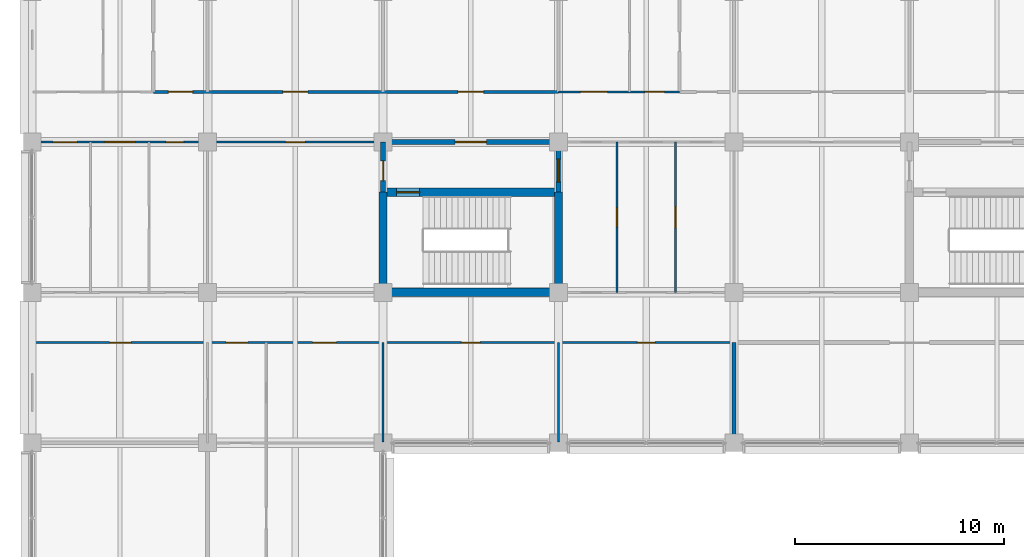
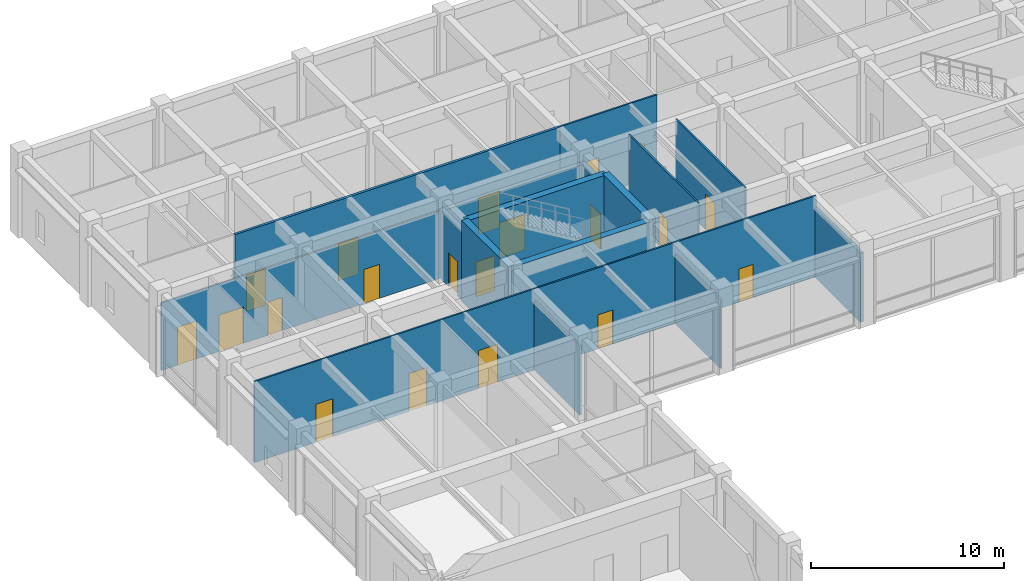
# One storey, part 25 of 51: 20 doors, 16 walls, 20 openings.
"""IFC4 building model written with IfcOpenShell, lengths in metres."""

from ifc_helpers import new_model, si_unit, direction, frame, frame_2d, origin, place, context, subcontext, project, spatial, rectangle, extrude, material, layer, layer_set, type_object, element, fill, save


model = new_model("IFC4")

# Units and contexts
model_context = context("Model", 3, precision=1e-05, world=origin(), true_north=direction((0.0, 1.0)))
body_context = subcontext(model_context, "Body", "Model", "MODEL_VIEW")
ifc_project = project(units=[si_unit("LENGTHUNIT", "METRE"), si_unit("AREAUNIT", "SQUARE_METRE"), si_unit("VOLUMEUNIT", "CUBIC_METRE"), si_unit("PLANEANGLEUNIT", "RADIAN"), si_unit("MASSUNIT", "GRAM", prefix="KILO")], contexts=[model_context])

# Site, building, storey
site_placement = place(None, origin())
site = spatial("IfcSite", under=ifc_project, at=site_placement, CompositionType="ELEMENT")
building_placement = place(site_placement, origin())
building = spatial("IfcBuilding", under=site, at=building_placement, Name="Chengyuan Square Courthouse", CompositionType="ELEMENT")
storey_placement = place(building_placement, frame((0.0, 0.0, 10.800048828125)))
storey = spatial("IfcBuildingStorey", under=building, at=storey_placement, Name="L03", CompositionType="ELEMENT", Elevation=10.800048828125)

# Wall, opening, door
ifc_material_1 = material(Name="Concrete C40", Category="concrete")
ifc_layer_1 = layer(ifc_material_1, 0.25)
ifc_layer_set_1 = layer_set([ifc_layer_1], Name="Concrete C40")
wall_type_1 = type_object("IfcWallType", Name="WL-FW1", PredefinedType="STANDARD", material=ifc_layer_set_1)
wall_1_placement = place(storey_placement, frame((16.800048828125, 93.60009765625, 0.0), z_axis=(0.0, 0.0, 1.0), x_axis=(1.0, 0.0, 0.0)))
wall_1 = element("IfcWall", 1, at=wall_1_placement, inside=storey, type_object=wall_type_1, Name="Interior Wall WL-L03-I1449", PredefinedType="STANDARD", context=body_context, shape_type="SweptSolid", body=[
    extrude(rectangle(XDim=8.39990234375, YDim=0.25, at=frame_2d((4.199951171875, 0.0))), origin(), (0.0, 0.0, 1.0), 4.27001953125),
])
opening_1_placement = place(wall_1_placement, frame((3.449951171875, 0.0, 0.0)))
opening_1 = element("IfcOpeningElement", 2, at=opening_1_placement, cuts=wall_1, Name="Opening DR-1351", PredefinedType="OPENING", context=body_context, shape_type="SweptSolid", body=[
    extrude(rectangle(XDim=1.5, YDim=2.25, at=frame_2d((0.75, 1.125))), frame((0.0, 0.136962890625, 0.0), z_axis=(0.0, -1.0, 0.0), x_axis=(1.0, 0.0, 0.0)), (0.0, 0.0, 1.0), 0.27392578125),
])
ifc_material_2 = material(Name="Steel Q235B Glazed Fire Door", Category="steel")
door_type_1 = type_object("IfcDoorType", Name="DT-19", OperationType="DOUBLE_DOOR_SINGLE_SWING", PredefinedType="DOOR", material=ifc_material_2)
door_1_placement = place(opening_1_placement, frame((1.5, 0.0, 0.0), z_axis=(0.0, 0.0, 1.0), x_axis=(-1.0, 0.0, 0.0)))
door_1 = element("IfcDoor", 3, at=door_1_placement, inside=storey, type_object=door_type_1, Name="Interior Door DR-1351", OperationType="DOUBLE_DOOR_SINGLE_SWING", OverallHeight=2.25, OverallWidth=1.5, PredefinedType="DOOR", context=body_context, shape_type="SweptSolid", body=[
    extrude(rectangle(XDim=1.5, YDim=2.25, at=frame_2d((0.75, 1.125))), frame((0.0, 0.02490234375, 0.0), z_axis=(0.0, -1.0, 0.0), x_axis=(1.0, 0.0, 0.0)), (0.0, 0.0, 1.0), 0.050048828125),
])
fill(opening_1, door_1)

wall_2_placement = place(storey_placement, frame((16.800048828125, 91.199951171875, 0.0), z_axis=(0.0, 0.0, 1.0), x_axis=(0.0, 1.0, 0.0)))
wall_2 = element("IfcWall", 4, at=wall_2_placement, inside=storey, type_object=wall_type_1, Name="Interior Wall WL-L03-I1566", PredefinedType="STANDARD", context=body_context, shape_type="SweptSolid", body=[
    extrude(rectangle(XDim=2.400146484375, YDim=0.25, at=frame_2d((1.2001953125, 0.0))), origin(), (0.0, 0.0, 1.0), 4.369873046875),
])
opening_2_placement = place(wall_2_placement, frame((0.552490234375, 0.0, 0.0)))
opening_2 = element("IfcOpeningElement", 5, at=opening_2_placement, cuts=wall_2, Name="Opening DR-1352", PredefinedType="OPENING", context=body_context, shape_type="SweptSolid", body=[
    extrude(rectangle(XDim=0.949951171875, YDim=2.14990234375, at=frame_2d((0.47509765625, 1.074951171875))), frame((0.0, 0.136962890625, 0.0), z_axis=(0.0, -1.0, 0.0), x_axis=(1.0, 0.0, 0.0)), (0.0, 0.0, 1.0), 0.27392578125),
])
ifc_material_3 = material(Name="Steel Q235B Fire Door", Category="steel")
door_type_2 = type_object("IfcDoorType", Name="DT-12", OperationType="NOTDEFINED", PredefinedType="DOOR", material=ifc_material_3)
door_2_placement = place(opening_2_placement, origin())
door_2 = element("IfcDoor", 6, at=door_2_placement, inside=storey, type_object=door_type_2, Name="Interior Door DR-1352", OperationType="SINGLE_SWING_RIGHT", OverallHeight=2.14990234375, OverallWidth=0.949951171875, PredefinedType="DOOR", context=body_context, shape_type="SweptSolid", body=[
    extrude(rectangle(XDim=0.949951171875, YDim=2.14990234375, at=frame_2d((0.47509765625, 1.074951171875))), frame((0.0, 0.02490234375, 0.0), z_axis=(0.0, -1.0, 0.0), x_axis=(1.0, 0.0, 0.0)), (0.0, 0.0, 1.0), 0.050048828125),
])
fill(opening_2, door_2)

wall_3_placement = place(storey_placement, frame((25.199951171875, 91.199951171875, 0.0), z_axis=(0.0, 0.0, 1.0), x_axis=(0.0, 1.0, 0.0)))
wall_3 = element("IfcWall", 7, at=wall_3_placement, inside=storey, type_object=wall_type_1, Name="Interior Wall WL-L03-I1571", PredefinedType="STANDARD", context=body_context, shape_type="SweptSolid", body=[
    extrude(rectangle(XDim=2.400146484375, YDim=0.25, at=frame_2d((1.2001953125, 0.0))), origin(), (0.0, 0.0, 1.0), 4.369873046875),
])
opening_3_placement = place(wall_3_placement, frame((0.4775390625, 0.0, 0.0)))
opening_3 = element("IfcOpeningElement", 8, at=opening_3_placement, cuts=wall_3, Name="Opening DR-1353", PredefinedType="OPENING", context=body_context, shape_type="SweptSolid", body=[
    extrude(rectangle(XDim=1.10009765625, YDim=2.199951171875, at=frame_2d((0.550048828125, 1.10009765625))), frame((0.0, 0.136962890625, 0.0), z_axis=(0.0, -1.0, 0.0), x_axis=(1.0, 0.0, 0.0)), (0.0, 0.0, 1.0), 0.27392578125),
])
door_type_3 = type_object("IfcDoorType", Name="DT-10", OperationType="NOTDEFINED", PredefinedType="DOOR", material=ifc_material_3)
door_3_placement = place(opening_3_placement, origin())
door_3 = element("IfcDoor", 9, at=door_3_placement, inside=storey, type_object=door_type_3, Name="Interior Door DR-1353", OperationType="SINGLE_SWING_LEFT", OverallHeight=2.199951171875, OverallWidth=1.10009765625, PredefinedType="DOOR", context=body_context, shape_type="SweptSolid", body=[
    extrude(rectangle(XDim=1.10009765625, YDim=2.199951171875, at=frame_2d((0.550048828125, 1.10009765625))), frame((0.0, 0.02490234375, 0.0), z_axis=(0.0, -1.0, 0.0), x_axis=(1.0, 0.0, 0.0)), (0.0, 0.0, 1.0), 0.050048828125),
])
fill(opening_3, door_3)

# Wall
ifc_material_4 = material(Name="Double-Stud Acoustic Gypsum Courtroom Partition")
ifc_layer_2 = layer(ifc_material_4, 0.179931640625)
ifc_layer_set_2 = layer_set([ifc_layer_2], Name="Double-Stud Acoustic Gypsum Courtroom Partition")
wall_type_2 = type_object("IfcWallType", Name="WL-PT1", PredefinedType="STANDARD", material=ifc_layer_set_2)
wall_4_placement = place(storey_placement, frame((33.60009765625, 79.239990234375, 0.0), z_axis=(0.0, 0.0, 1.0), x_axis=(0.0, 1.0, 0.0)))
element("IfcWall", 10, at=wall_4_placement, inside=storey, type_object=wall_type_2, Name="Interior Wall WL-L03-I1578", PredefinedType="STANDARD", context=body_context, shape_type="SweptSolid", body=[
    extrude(rectangle(XDim=4.760009765625, YDim=0.179931640625, at=frame_2d((2.3798828125, 0.0))), origin(), (0.0, 0.0, 1.0), 4.369873046875),
])

# Wall, openings, doors
ifc_material_5 = material(Name="Deliberation Room Sound-Insulated Partition")
ifc_layer_3 = layer(ifc_material_5, 0.14990234375)
ifc_layer_set_3 = layer_set([ifc_layer_3], Name="Deliberation Room Sound-Insulated Partition")
wall_type_3 = type_object("IfcWallType", Name="WL-PT3", PredefinedType="STANDARD", material=ifc_layer_set_3)
wall_5_placement = place(storey_placement, frame((5.800048828125, 96.0, 0.0), z_axis=(0.0, 0.0, 1.0), x_axis=(1.0, 0.0, 0.0)))
wall_5 = element("IfcWall", 11, at=wall_5_placement, inside=storey, type_object=wall_type_3, Name="Interior Wall WL-L03-I1462", PredefinedType="STANDARD", context=body_context, shape_type="SweptSolid", body=[
    extrude(rectangle(XDim=19.39990234375, YDim=0.14990234375, at=frame_2d((9.699951171875, 0.0))), origin(), (0.0, 0.0, 1.0), 5.119873046875),
])
opening_4_placement = place(wall_5_placement, frame((0.719970703125, 0.0, 0.0)))
opening_4 = element("IfcOpeningElement", 12, at=opening_4_placement, cuts=wall_5, Name="Opening DR-1450", PredefinedType="OPENING", context=body_context, shape_type="SweptSolid", body=[
    extrude(rectangle(XDim=1.159912109375, YDim=2.300048828125, at=frame_2d((0.580078125, 1.14990234375))), frame((0.0, 0.0869140625, 0.0), z_axis=(0.0, -1.0, 0.0), x_axis=(1.0, 0.0, 0.0)), (0.0, 0.0, 1.0), 0.173828125),
])
opening_5_placement = place(wall_5_placement, frame((6.199951171875, 0.0, 0.0)))
opening_5 = element("IfcOpeningElement", 13, at=opening_5_placement, cuts=wall_5, Name="Opening DR-1451", PredefinedType="OPENING", context=body_context, shape_type="SweptSolid", body=[
    extrude(rectangle(XDim=1.199951171875, YDim=2.35009765625, at=frame_2d((0.60009765625, 1.175048828125))), frame((0.0, 0.0869140625, 0.0), z_axis=(0.0, -1.0, 0.0), x_axis=(1.0, 0.0, 0.0)), (0.0, 0.0, 1.0), 0.173828125),
])
opening_6_placement = place(wall_5_placement, frame((14.580078125, 0.0, 0.0)))
opening_6 = element("IfcOpeningElement", 14, at=opening_6_placement, cuts=wall_5, Name="Opening DR-1452", PredefinedType="OPENING", context=body_context, shape_type="SweptSolid", body=[
    extrude(rectangle(XDim=1.239990234375, YDim=2.300048828125, at=frame_2d((0.6201171875, 1.14990234375))), frame((0.0, 0.0869140625, 0.0), z_axis=(0.0, -1.0, 0.0), x_axis=(1.0, 0.0, 0.0)), (0.0, 0.0, 1.0), 0.173828125),
])
ifc_material_6 = material(Name="Acoustic Solid-Core Timber Door", Category="wood")
door_type_4 = type_object("IfcDoorType", Name="DT-35", OperationType="NOTDEFINED", PredefinedType="DOOR", material=ifc_material_6)
door_4_placement = place(opening_4_placement, origin())
door_4 = element("IfcDoor", 15, at=door_4_placement, inside=storey, type_object=door_type_4, Name="Interior Door DR-1450", OperationType="SINGLE_SWING_LEFT", OverallHeight=2.300048828125, OverallWidth=1.159912109375, PredefinedType="DOOR", context=body_context, shape_type="SweptSolid", body=[
    extrude(rectangle(XDim=1.159912109375, YDim=2.300048828125, at=frame_2d((0.580078125, 1.14990234375))), frame((0.0, 0.02490234375, 0.0), z_axis=(0.0, -1.0, 0.0), x_axis=(1.0, 0.0, 0.0)), (0.0, 0.0, 1.0), 0.050048828125),
])
fill(opening_4, door_4)
door_type_5 = type_object("IfcDoorType", Name="DT-36", OperationType="NOTDEFINED", PredefinedType="DOOR", material=ifc_material_6)
door_5_placement = place(opening_5_placement, origin())
door_5 = element("IfcDoor", 16, at=door_5_placement, inside=storey, type_object=door_type_5, Name="Interior Door DR-1451", OperationType="SINGLE_SWING_RIGHT", OverallHeight=2.35009765625, OverallWidth=1.199951171875, PredefinedType="DOOR", context=body_context, shape_type="SweptSolid", body=[
    extrude(rectangle(XDim=1.199951171875, YDim=2.35009765625, at=frame_2d((0.60009765625, 1.175048828125))), frame((0.0, 0.02490234375, 0.0), z_axis=(0.0, -1.0, 0.0), x_axis=(1.0, 0.0, 0.0)), (0.0, 0.0, 1.0), 0.050048828125),
])
fill(opening_5, door_5)
door_type_6 = type_object("IfcDoorType", Name="DT-37", OperationType="NOTDEFINED", PredefinedType="DOOR", material=ifc_material_6)
door_6_placement = place(opening_6_placement, origin())
door_6 = element("IfcDoor", 17, at=door_6_placement, inside=storey, type_object=door_type_6, Name="Interior Door DR-1452", OperationType="SINGLE_SWING_LEFT", OverallHeight=2.300048828125, OverallWidth=1.239990234375, PredefinedType="DOOR", context=body_context, shape_type="SweptSolid", body=[
    extrude(rectangle(XDim=1.239990234375, YDim=2.300048828125, at=frame_2d((0.6201171875, 1.14990234375))), frame((0.0, 0.02490234375, 0.0), z_axis=(0.0, -1.0, 0.0), x_axis=(1.0, 0.0, 0.0)), (0.0, 0.0, 1.0), 0.050048828125),
])
fill(opening_6, door_6)

ifc_material_7 = material(Name="Gypsum Plasterboard Acoustic Stud Partition")
ifc_layer_4 = layer(ifc_material_7, 0.10009765625)
ifc_layer_set_4 = layer_set([ifc_layer_4], Name="Gypsum Plasterboard Acoustic Stud Partition")
wall_type_4 = type_object("IfcWallType", Name="WL-PT6", PredefinedType="STANDARD", material=ifc_layer_set_4)
wall_6_placement = place(storey_placement, frame((0.0400390625, 84.0, 0.0), z_axis=(0.0, 0.0, 1.0), x_axis=(1.0, 0.0, 0.0)))
wall_6 = element("IfcWall", 18, at=wall_6_placement, inside=storey, type_object=wall_type_4, Name="Interior Wall WL-L03-I1412", PredefinedType="STANDARD", context=body_context, shape_type="SweptSolid", body=[
    extrude(rectangle(XDim=33.56005859375, YDim=0.10009765625, at=frame_2d((16.780029296875, 0.0))), origin(), (0.0, 0.0, 1.0), 5.119873046875),
])
opening_7_placement = place(wall_6_placement, frame((3.669921875, 0.0, 0.0)))
opening_7 = element("IfcOpeningElement", 19, at=opening_7_placement, cuts=wall_6, Name="Opening DR-1575", PredefinedType="OPENING", context=body_context, shape_type="SweptSolid", body=[
    extrude(rectangle(XDim=1.02001953125, YDim=2.39990234375, at=frame_2d((0.510009765625, 1.199951171875))), frame((0.0, 0.06201171875, 0.0), z_axis=(0.0, -1.0, 0.0), x_axis=(1.0, 0.0, 0.0)), (0.0, 0.0, 1.0), 0.1240234375),
])
opening_8_placement = place(wall_6_placement, frame((9.22998046875, 0.0, 0.0)))
opening_8 = element("IfcOpeningElement", 20, at=opening_8_placement, cuts=wall_6, Name="Opening DR-1576", PredefinedType="OPENING", context=body_context, shape_type="SweptSolid", body=[
    extrude(rectangle(XDim=1.06005859375, YDim=2.39990234375, at=frame_2d((0.530029296875, 1.199951171875))), frame((0.0, 0.06201171875, 0.0), z_axis=(0.0, -1.0, 0.0), x_axis=(1.0, 0.0, 0.0)), (0.0, 0.0, 1.0), 0.1240234375),
])
opening_9_placement = place(wall_6_placement, frame((13.389892578125, 0.0, 0.0)))
opening_9 = element("IfcOpeningElement", 21, at=opening_9_placement, cuts=wall_6, Name="Opening DR-1577", PredefinedType="OPENING", context=body_context, shape_type="SweptSolid", body=[
    extrude(rectangle(XDim=1.139892578125, YDim=2.39990234375, at=frame_2d((0.56982421875, 1.199951171875))), frame((0.0, 0.06201171875, 0.0), z_axis=(0.0, -1.0, 0.0), x_axis=(1.0, 0.0, 0.0)), (0.0, 0.0, 1.0), 0.1240234375),
])
opening_10_placement = place(wall_6_placement, frame((20.510009765625, 0.0, 0.0)))
opening_10 = element("IfcOpeningElement", 22, at=opening_10_placement, cuts=wall_6, Name="Opening DR-1578", PredefinedType="OPENING", context=body_context, shape_type="SweptSolid", body=[
    extrude(rectangle(XDim=0.89990234375, YDim=2.14990234375, at=frame_2d((0.449951171875, 1.074951171875))), frame((0.0, 0.06201171875, 0.0), z_axis=(0.0, -1.0, 0.0), x_axis=(1.0, 0.0, 0.0)), (0.0, 0.0, 1.0), 0.1240234375),
])
opening_11_placement = place(wall_6_placement, frame((28.929931640625, 0.0, 0.0)))
opening_11 = element("IfcOpeningElement", 23, at=opening_11_placement, cuts=wall_6, Name="Opening DR-1579", PredefinedType="OPENING", context=body_context, shape_type="SweptSolid", body=[
    extrude(rectangle(XDim=0.860107421875, YDim=2.10009765625, at=frame_2d((0.43017578125, 1.050048828125))), frame((0.0, 0.06201171875, 0.0), z_axis=(0.0, -1.0, 0.0), x_axis=(1.0, 0.0, 0.0)), (0.0, 0.0, 1.0), 0.1240234375),
])
door_type_7 = type_object("IfcDoorType", Name="DT-27", OperationType="NOTDEFINED", PredefinedType="DOOR", material=ifc_material_6)
door_7_placement = place(opening_10_placement, origin())
door_7 = element("IfcDoor", 24, at=door_7_placement, inside=storey, type_object=door_type_7, Name="Interior Door DR-1578", OperationType="SINGLE_SWING_RIGHT", OverallHeight=2.14990234375, OverallWidth=0.89990234375, PredefinedType="DOOR", context=body_context, shape_type="SweptSolid", body=[
    extrude(rectangle(XDim=0.89990234375, YDim=2.14990234375, at=frame_2d((0.449951171875, 1.074951171875))), frame((0.0, 0.02490234375, 0.0), z_axis=(0.0, -1.0, 0.0), x_axis=(1.0, 0.0, 0.0)), (0.0, 0.0, 1.0), 0.050048828125),
])
fill(opening_10, door_7)
door_type_8 = type_object("IfcDoorType", Name="DT-28", OperationType="NOTDEFINED", PredefinedType="DOOR", material=ifc_material_6)
door_8_placement = place(opening_11_placement, origin())
door_8 = element("IfcDoor", 25, at=door_8_placement, inside=storey, type_object=door_type_8, Name="Interior Door DR-1579", OperationType="SINGLE_SWING_LEFT", OverallHeight=2.10009765625, OverallWidth=0.860107421875, PredefinedType="DOOR", context=body_context, shape_type="SweptSolid", body=[
    extrude(rectangle(XDim=0.860107421875, YDim=2.10009765625, at=frame_2d((0.43017578125, 1.050048828125))), frame((0.0, 0.02490234375, 0.0), z_axis=(0.0, -1.0, 0.0), x_axis=(1.0, 0.0, 0.0)), (0.0, 0.0, 1.0), 0.050048828125),
])
fill(opening_11, door_8)
door_type_9 = type_object("IfcDoorType", Name="DT-41", OperationType="NOTDEFINED", PredefinedType="DOOR", material=ifc_material_6)
door_9_placement = place(opening_7_placement, origin())
door_9 = element("IfcDoor", 26, at=door_9_placement, inside=storey, type_object=door_type_9, Name="Interior Door DR-1575", OperationType="SINGLE_SWING_LEFT", OverallHeight=2.39990234375, OverallWidth=1.02001953125, PredefinedType="DOOR", context=body_context, shape_type="SweptSolid", body=[
    extrude(rectangle(XDim=1.02001953125, YDim=2.39990234375, at=frame_2d((0.510009765625, 1.199951171875))), frame((0.0, 0.02490234375, 0.0), z_axis=(0.0, -1.0, 0.0), x_axis=(1.0, 0.0, 0.0)), (0.0, 0.0, 1.0), 0.050048828125),
])
fill(opening_7, door_9)
door_type_10 = type_object("IfcDoorType", Name="DT-42", OperationType="NOTDEFINED", PredefinedType="DOOR", material=ifc_material_6)
door_10_placement = place(opening_8_placement, origin())
door_10 = element("IfcDoor", 27, at=door_10_placement, inside=storey, type_object=door_type_10, Name="Interior Door DR-1576", OperationType="SINGLE_SWING_RIGHT", OverallHeight=2.39990234375, OverallWidth=1.06005859375, PredefinedType="DOOR", context=body_context, shape_type="SweptSolid", body=[
    extrude(rectangle(XDim=1.06005859375, YDim=2.39990234375, at=frame_2d((0.530029296875, 1.199951171875))), frame((0.0, 0.02490234375, 0.0), z_axis=(0.0, -1.0, 0.0), x_axis=(1.0, 0.0, 0.0)), (0.0, 0.0, 1.0), 0.050048828125),
])
fill(opening_8, door_10)
door_type_11 = type_object("IfcDoorType", Name="DT-43", OperationType="NOTDEFINED", PredefinedType="DOOR", material=ifc_material_6)
door_11_placement = place(opening_9_placement, origin())
door_11 = element("IfcDoor", 28, at=door_11_placement, inside=storey, type_object=door_type_11, Name="Interior Door DR-1577", OperationType="SINGLE_SWING_LEFT", OverallHeight=2.39990234375, OverallWidth=1.139892578125, PredefinedType="DOOR", context=body_context, shape_type="SweptSolid", body=[
    extrude(rectangle(XDim=1.139892578125, YDim=2.39990234375, at=frame_2d((0.56982421875, 1.199951171875))), frame((0.0, 0.02490234375, 0.0), z_axis=(0.0, -1.0, 0.0), x_axis=(1.0, 0.0, 0.0)), (0.0, 0.0, 1.0), 0.050048828125),
])
fill(opening_9, door_11)

wall_7_placement = place(storey_placement, frame((0.0400390625, 93.60009765625, 0.0), z_axis=(0.0, 0.0, 1.0), x_axis=(1.0, 0.0, 0.0)))
wall_7 = element("IfcWall", 29, at=wall_7_placement, inside=storey, type_object=wall_type_4, Name="Interior Wall WL-L03-I1448", PredefinedType="STANDARD", context=body_context, shape_type="SweptSolid", body=[
    extrude(rectangle(XDim=16.760009765625, YDim=0.10009765625, at=frame_2d((8.3798828125, 0.0))), origin(), (0.0, 0.0, 1.0), 4.27001953125),
])
opening_12_placement = place(wall_7_placement, frame((0.96240234375, 0.0, 0.0)))
opening_12 = element("IfcOpeningElement", 30, at=opening_12_placement, cuts=wall_7, Name="Opening DR-1458", PredefinedType="OPENING", context=body_context, shape_type="SweptSolid", body=[
    extrude(rectangle(XDim=1.139892578125, YDim=2.39990234375, at=frame_2d((0.56982421875, 1.199951171875))), frame((0.0, 0.06201171875, 0.0), z_axis=(0.0, -1.0, 0.0), x_axis=(1.0, 0.0, 0.0)), (0.0, 0.0, 1.0), 0.1240234375),
])
opening_13_placement = place(wall_7_placement, frame((3.43505859375, 0.0, 0.0)))
opening_13 = element("IfcOpeningElement", 31, at=opening_13_placement, cuts=wall_7, Name="Opening DR-1459", PredefinedType="OPENING", context=body_context, shape_type="SweptSolid", body=[
    extrude(rectangle(XDim=1.449951171875, YDim=2.300048828125, at=frame_2d((0.72509765625, 1.14990234375))), frame((0.0, 0.06201171875, 0.0), z_axis=(0.0, -1.0, 0.0), x_axis=(1.0, 0.0, 0.0)), (0.0, 0.0, 1.0), 0.1240234375),
])
opening_14_placement = place(wall_7_placement, frame((6.357421875, 0.0, 0.0)))
opening_14 = element("IfcOpeningElement", 32, at=opening_14_placement, cuts=wall_7, Name="Opening DR-1460", PredefinedType="OPENING", context=body_context, shape_type="SweptSolid", body=[
    extrude(rectangle(XDim=0.860107421875, YDim=2.10009765625, at=frame_2d((0.43017578125, 1.050048828125))), frame((0.0, 0.06201171875, 0.0), z_axis=(0.0, -1.0, 0.0), x_axis=(1.0, 0.0, 0.0)), (0.0, 0.0, 1.0), 0.1240234375),
])
opening_15_placement = place(wall_7_placement, frame((12.10009765625, 0.0, 0.0)))
opening_15 = element("IfcOpeningElement", 33, at=opening_15_placement, cuts=wall_7, Name="Opening DR-1461", PredefinedType="OPENING", context=body_context, shape_type="SweptSolid", body=[
    extrude(rectangle(XDim=0.919921875, YDim=2.14990234375, at=frame_2d((0.4599609375, 1.074951171875))), frame((0.0, 0.06201171875, 0.0), z_axis=(0.0, -1.0, 0.0), x_axis=(1.0, 0.0, 0.0)), (0.0, 0.0, 1.0), 0.1240234375),
])
ifc_material_8 = material(Name="Acoustic Larch Veneer Double Door")
door_type_12 = type_object("IfcDoorType", Name="DT-25", OperationType="DOUBLE_DOOR_SINGLE_SWING", PredefinedType="DOOR", material=ifc_material_8)
door_12_placement = place(opening_13_placement, frame((1.449951171875, 0.0, 0.0), z_axis=(0.0, 0.0, 1.0), x_axis=(-1.0, 0.0, 0.0)))
door_12 = element("IfcDoor", 34, at=door_12_placement, inside=storey, type_object=door_type_12, Name="Interior Door DR-1459", OperationType="DOUBLE_DOOR_SINGLE_SWING", OverallHeight=2.300048828125, OverallWidth=1.449951171875, PredefinedType="DOOR", context=body_context, shape_type="SweptSolid", body=[
    extrude(rectangle(XDim=1.449951171875, YDim=2.300048828125, at=frame_2d((0.72509765625, 1.14990234375))), frame((0.0, 0.02490234375, 0.0), z_axis=(0.0, -1.0, 0.0), x_axis=(1.0, 0.0, 0.0)), (0.0, 0.0, 1.0), 0.050048828125),
])
fill(opening_13, door_12)
door_13_placement = place(opening_14_placement, origin())
door_13 = element("IfcDoor", 35, at=door_13_placement, inside=storey, type_object=door_type_8, Name="Interior Door DR-1460", OperationType="SINGLE_SWING_RIGHT", OverallHeight=2.10009765625, OverallWidth=0.860107421875, PredefinedType="DOOR", context=body_context, shape_type="SweptSolid", body=[
    extrude(rectangle(XDim=0.860107421875, YDim=2.10009765625, at=frame_2d((0.43017578125, 1.050048828125))), frame((0.0, 0.02490234375, 0.0), z_axis=(0.0, -1.0, 0.0), x_axis=(1.0, 0.0, 0.0)), (0.0, 0.0, 1.0), 0.050048828125),
])
fill(opening_14, door_13)
door_type_13 = type_object("IfcDoorType", Name="DT-29", OperationType="NOTDEFINED", PredefinedType="DOOR", material=ifc_material_6)
door_14_placement = place(opening_15_placement, origin())
door_14 = element("IfcDoor", 36, at=door_14_placement, inside=storey, type_object=door_type_13, Name="Interior Door DR-1461", OperationType="SINGLE_SWING_LEFT", OverallHeight=2.14990234375, OverallWidth=0.919921875, PredefinedType="DOOR", context=body_context, shape_type="SweptSolid", body=[
    extrude(rectangle(XDim=0.919921875, YDim=2.14990234375, at=frame_2d((0.4599609375, 1.074951171875))), frame((0.0, 0.02490234375, 0.0), z_axis=(0.0, -1.0, 0.0), x_axis=(1.0, 0.0, 0.0)), (0.0, 0.0, 1.0), 0.050048828125),
])
fill(opening_15, door_14)
door_15_placement = place(opening_12_placement, origin())
door_15 = element("IfcDoor", 37, at=door_15_placement, inside=storey, type_object=door_type_11, Name="Interior Door DR-1458", OperationType="SINGLE_SWING_LEFT", OverallHeight=2.39990234375, OverallWidth=1.139892578125, PredefinedType="DOOR", context=body_context, shape_type="SweptSolid", body=[
    extrude(rectangle(XDim=1.139892578125, YDim=2.39990234375, at=frame_2d((0.56982421875, 1.199951171875))), frame((0.0, 0.02490234375, 0.0), z_axis=(0.0, -1.0, 0.0), x_axis=(1.0, 0.0, 0.0)), (0.0, 0.0, 1.0), 0.050048828125),
])
fill(opening_12, door_15)

wall_8_placement = place(storey_placement, frame((25.199951171875, 96.0, 0.0), z_axis=(0.0, 0.0, 1.0), x_axis=(1.0, 0.0, 0.0)))
wall_8 = element("IfcWall", 38, at=wall_8_placement, inside=storey, type_object=wall_type_4, Name="Interior Wall WL-L03-I1463", PredefinedType="STANDARD", context=body_context, shape_type="SweptSolid", body=[
    extrude(rectangle(XDim=5.800048828125, YDim=0.10009765625, at=frame_2d((2.89990234375, 0.0))), origin(), (0.0, 0.0, 1.0), 5.119873046875),
])
opening_16_placement = place(wall_8_placement, frame((1.06005859375, 0.0, 0.0)))
opening_16 = element("IfcOpeningElement", 39, at=opening_16_placement, cuts=wall_8, Name="Opening DR-1453", PredefinedType="OPENING", context=body_context, shape_type="SweptSolid", body=[
    extrude(rectangle(XDim=1.280029296875, YDim=2.35009765625, at=frame_2d((0.64013671875, 1.175048828125))), frame((0.0, 0.06201171875, 0.0), z_axis=(0.0, -1.0, 0.0), x_axis=(1.0, 0.0, 0.0)), (0.0, 0.0, 1.0), 0.1240234375),
])
opening_17_placement = place(wall_8_placement, frame((4.1298828125, 0.0, 0.0)))
opening_17 = element("IfcOpeningElement", 40, at=opening_17_placement, cuts=wall_8, Name="Opening DR-1454", PredefinedType="OPENING", context=body_context, shape_type="SweptSolid", body=[
    extrude(rectangle(XDim=0.93994140625, YDim=2.300048828125, at=frame_2d((0.469970703125, 1.14990234375))), frame((0.0, 0.06201171875, 0.0), z_axis=(0.0, -1.0, 0.0), x_axis=(1.0, 0.0, 0.0)), (0.0, 0.0, 1.0), 0.1240234375),
])
door_type_14 = type_object("IfcDoorType", Name="DT-38", OperationType="NOTDEFINED", PredefinedType="DOOR", material=ifc_material_6)
door_16_placement = place(opening_16_placement, origin())
door_16 = element("IfcDoor", 41, at=door_16_placement, inside=storey, type_object=door_type_14, Name="Interior Door DR-1453", OperationType="SINGLE_SWING_RIGHT", OverallHeight=2.35009765625, OverallWidth=1.280029296875, PredefinedType="DOOR", context=body_context, shape_type="SweptSolid", body=[
    extrude(rectangle(XDim=1.280029296875, YDim=2.35009765625, at=frame_2d((0.64013671875, 1.175048828125))), frame((0.0, 0.02490234375, 0.0), z_axis=(0.0, -1.0, 0.0), x_axis=(1.0, 0.0, 0.0)), (0.0, 0.0, 1.0), 0.050048828125),
])
fill(opening_16, door_16)
door_type_15 = type_object("IfcDoorType", Name="DT-39", OperationType="NOTDEFINED", PredefinedType="DOOR", material=ifc_material_6)
door_17_placement = place(opening_17_placement, origin())
door_17 = element("IfcDoor", 42, at=door_17_placement, inside=storey, type_object=door_type_15, Name="Interior Door DR-1454", OperationType="SINGLE_SWING_LEFT", OverallHeight=2.300048828125, OverallWidth=0.93994140625, PredefinedType="DOOR", context=body_context, shape_type="SweptSolid", body=[
    extrude(rectangle(XDim=0.93994140625, YDim=2.300048828125, at=frame_2d((0.469970703125, 1.14990234375))), frame((0.0, 0.02490234375, 0.0), z_axis=(0.0, -1.0, 0.0), x_axis=(1.0, 0.0, 0.0)), (0.0, 0.0, 1.0), 0.050048828125),
])
fill(opening_17, door_17)

# Walls
for number, where, z_axis, x_axis, name in (
    (43, (16.800048828125, 79.239990234375, 0.0), (0.0, 0.0, 1.0), (0.0, 1.0, 0.0), "Interior Wall WL-L03-I1564"),
    (44, (25.199951171875, 79.239990234375, 0.0), (0.0, 0.0, 1.0), (0.0, 1.0, 0.0), "Interior Wall WL-L03-I1569"),
):
    element("IfcWall", number, at=place(storey_placement, frame(where, z_axis=z_axis, x_axis=x_axis)), inside=storey, type_object=wall_type_4, Name=name, PredefinedType="STANDARD", context=body_context, shape_type="SweptSolid", body=[
        extrude(rectangle(XDim=4.760009765625, YDim=0.10009765625, at=frame_2d((2.3798828125, 0.0))), origin(), (0.0, 0.0, 1.0), 4.369873046875),
    ])

# Wall, opening, door
wall_9_placement = place(storey_placement, frame((28.0, 86.39990234375, 0.0), z_axis=(0.0, 0.0, 1.0), x_axis=(0.0, 1.0, 0.0)))
wall_9 = element("IfcWall", 45, at=wall_9_placement, inside=storey, type_object=wall_type_4, Name="Interior Wall WL-L03-I1574", PredefinedType="STANDARD", context=body_context, shape_type="SweptSolid", body=[
    extrude(rectangle(XDim=7.2001953125, YDim=0.10009765625, at=frame_2d((3.60009765625, 0.0))), origin(), (0.0, 0.0, 1.0), 5.119873046875),
])
opening_18_placement = place(wall_9_placement, frame((3.139892578125, 0.0, 0.0)))
opening_18 = element("IfcOpeningElement", 46, at=opening_18_placement, cuts=wall_9, Name="Opening DR-1529", PredefinedType="OPENING", context=body_context, shape_type="SweptSolid", body=[
    extrude(rectangle(XDim=0.919921875, YDim=2.14990234375, at=frame_2d((0.4599609375, 1.074951171875))), frame((0.0, 0.06201171875, 0.0), z_axis=(0.0, -1.0, 0.0), x_axis=(1.0, 0.0, 0.0)), (0.0, 0.0, 1.0), 0.1240234375),
])
door_18_placement = place(opening_18_placement, origin())
door_18 = element("IfcDoor", 47, at=door_18_placement, inside=storey, type_object=door_type_13, Name="Interior Door DR-1529", OperationType="SINGLE_SWING_RIGHT", OverallHeight=2.14990234375, OverallWidth=0.919921875, PredefinedType="DOOR", context=body_context, shape_type="SweptSolid", body=[
    extrude(rectangle(XDim=0.919921875, YDim=2.14990234375, at=frame_2d((0.4599609375, 1.074951171875))), frame((0.0, 0.02490234375, 0.0), z_axis=(0.0, -1.0, 0.0), x_axis=(1.0, 0.0, 0.0)), (0.0, 0.0, 1.0), 0.050048828125),
])
fill(opening_18, door_18)

wall_10_placement = place(storey_placement, frame((30.800048828125, 86.39990234375, 0.0), z_axis=(0.0, 0.0, 1.0), x_axis=(0.0, 1.0, 0.0)))
wall_10 = element("IfcWall", 48, at=wall_10_placement, inside=storey, type_object=wall_type_4, Name="Interior Wall WL-L03-I1576", PredefinedType="STANDARD", context=body_context, shape_type="SweptSolid", body=[
    extrude(rectangle(XDim=7.2001953125, YDim=0.10009765625, at=frame_2d((3.60009765625, 0.0))), origin(), (0.0, 0.0, 1.0), 5.119873046875),
])
opening_19_placement = place(wall_10_placement, frame((3.10009765625, 0.0, 0.0)))
opening_19 = element("IfcOpeningElement", 49, at=opening_19_placement, cuts=wall_10, Name="Opening DR-1531", PredefinedType="OPENING", context=body_context, shape_type="SweptSolid", body=[
    extrude(rectangle(XDim=1.0, YDim=2.25, at=frame_2d((0.5, 1.125))), frame((0.0, 0.06201171875, 0.0), z_axis=(0.0, -1.0, 0.0), x_axis=(1.0, 0.0, 0.0)), (0.0, 0.0, 1.0), 0.1240234375),
])
door_type_16 = type_object("IfcDoorType", Name="DT-31", OperationType="NOTDEFINED", PredefinedType="DOOR", material=ifc_material_6)
door_19_placement = place(opening_19_placement, origin())
door_19 = element("IfcDoor", 50, at=door_19_placement, inside=storey, type_object=door_type_16, Name="Interior Door DR-1531", OperationType="SINGLE_SWING_RIGHT", OverallHeight=2.25, OverallWidth=1.0, PredefinedType="DOOR", context=body_context, shape_type="SweptSolid", body=[
    extrude(rectangle(XDim=1.0, YDim=2.25, at=frame_2d((0.5, 1.125))), frame((0.0, 0.02490234375, 0.0), z_axis=(0.0, -1.0, 0.0), x_axis=(1.0, 0.0, 0.0)), (0.0, 0.0, 1.0), 0.050048828125),
])
fill(opening_19, door_19)

# Wall
ifc_material_9 = material(Name="Concrete C50", Category="concrete")
ifc_layer_5 = layer(ifc_material_9, 0.39990234375)
ifc_layer_set_5 = layer_set([ifc_layer_5], Name="Concrete C50")
wall_type_5 = type_object("IfcWallType", Name="WL-SW1", PredefinedType="SHEAR", material=ifc_layer_set_5)
wall_11_placement = place(storey_placement, frame((16.800048828125, 86.39990234375, 0.0), z_axis=(0.0, 0.0, 1.0), x_axis=(1.0, 0.0, 0.0)))
element("IfcWall", 51, at=wall_11_placement, inside=storey, type_object=wall_type_5, Name="Interior Wall WL-L03-I1418", PredefinedType="SHEAR", context=body_context, shape_type="SweptSolid", body=[
    extrude(rectangle(XDim=8.39990234375, YDim=0.39990234375, at=frame_2d((4.199951171875, 0.0))), origin(), (0.0, 0.0, 1.0), 5.119873046875),
])

# Wall, opening, door
wall_12_placement = place(storey_placement, frame((16.800048828125, 91.199951171875, 0.0), z_axis=(0.0, 0.0, 1.0), x_axis=(1.0, 0.0, 0.0)))
wall_12 = element("IfcWall", 52, at=wall_12_placement, inside=storey, type_object=wall_type_5, Name="Interior Wall WL-L03-I1441", PredefinedType="SHEAR", context=body_context, shape_type="SweptSolid", body=[
    extrude(rectangle(XDim=8.39990234375, YDim=0.39990234375, at=frame_2d((4.199951171875, 0.0))), origin(), (0.0, 0.0, 1.0), 5.119873046875),
])
opening_20_placement = place(wall_12_placement, frame((0.64990234375, 0.0, 0.0)))
opening_20 = element("IfcOpeningElement", 53, at=opening_20_placement, cuts=wall_12, Name="Opening DR-1325", PredefinedType="OPENING", context=body_context, shape_type="SweptSolid", body=[
    extrude(rectangle(XDim=1.10009765625, YDim=2.199951171875, at=frame_2d((0.550048828125, 1.10009765625))), frame((0.0, 0.2119140625, 0.0), z_axis=(0.0, -1.0, 0.0), x_axis=(1.0, 0.0, 0.0)), (0.0, 0.0, 1.0), 0.423828125),
])
door_20_placement = place(opening_20_placement, frame((1.10009765625, 0.0, 0.0), z_axis=(0.0, 0.0, 1.0), x_axis=(-1.0, 0.0, 0.0)))
door_20 = element("IfcDoor", 54, at=door_20_placement, inside=storey, type_object=door_type_3, Name="Smoke-Proof Stairwell Fire Door ST-9 DR-1325", OperationType="SINGLE_SWING_RIGHT", OverallHeight=2.199951171875, OverallWidth=1.10009765625, PredefinedType="DOOR", context=body_context, shape_type="SweptSolid", body=[
    extrude(rectangle(XDim=1.10009765625, YDim=2.199951171875, at=frame_2d((0.550048828125, 1.10009765625))), frame((0.0, 0.02490234375, 0.0), z_axis=(0.0, -1.0, 0.0), x_axis=(1.0, 0.0, 0.0)), (0.0, 0.0, 1.0), 0.050048828125),
])
fill(opening_20, door_20)

# Walls
for number, where, z_axis, x_axis, name in (
    (55, (16.800048828125, 86.39990234375, 0.0), (0.0, 0.0, 1.0), (0.0, 1.0, 0.0), "Interior Wall WL-L03-I1565"),
    (56, (25.199951171875, 86.39990234375, 0.0), (0.0, 0.0, 1.0), (0.0, 1.0, 0.0), "Interior Wall WL-L03-I1570"),
):
    element("IfcWall", number, at=place(storey_placement, frame(where, z_axis=z_axis, x_axis=x_axis)), inside=storey, type_object=wall_type_5, Name=name, PredefinedType="SHEAR", context=body_context, shape_type="SweptSolid", body=[
        extrude(rectangle(XDim=4.800048828125, YDim=0.39990234375, at=frame_2d((2.39990234375, 0.0))), origin(), (0.0, 0.0, 1.0), 5.119873046875),
    ])

save(model, "model.ifc")
